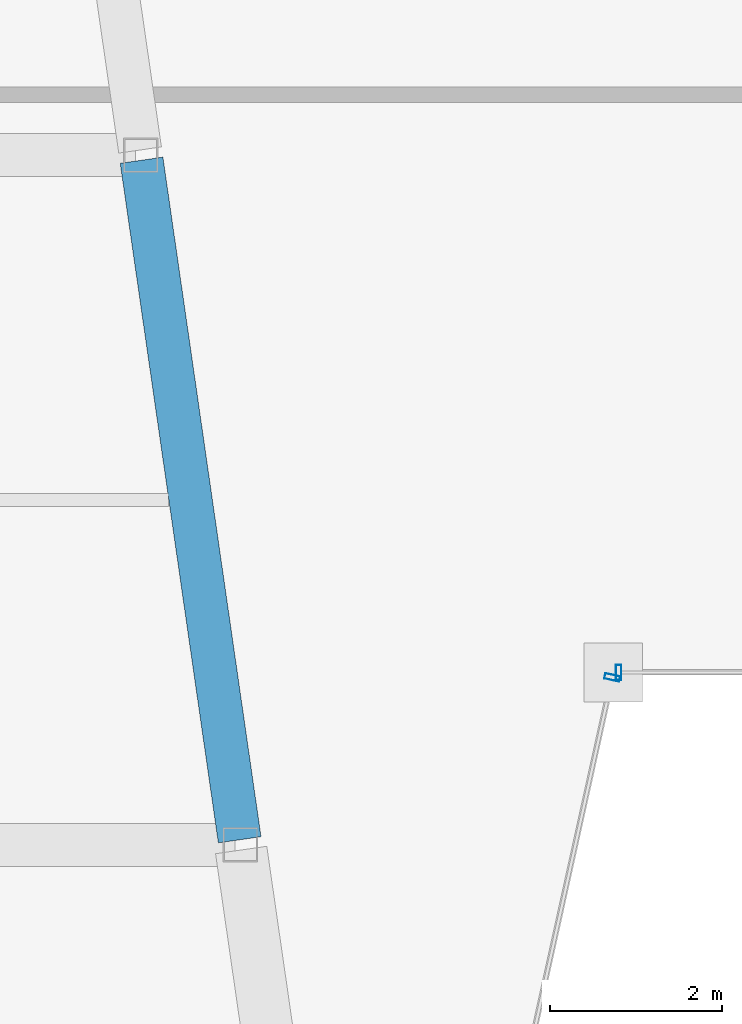
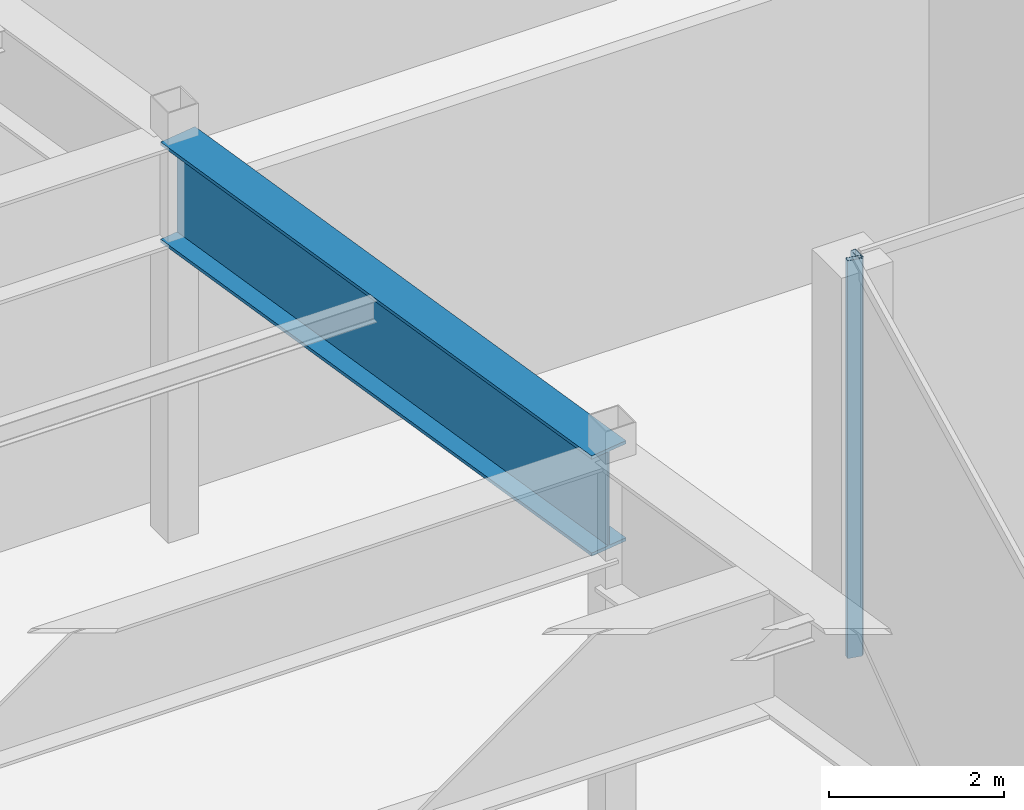
# One storey, part 8 of 34: 2 members, 1 beam, 2 elements without a shape of their own.
"""IFC4 building model written with IfcOpenShell, lengths in metres."""

from ifc_helpers import new_model, si_unit, direction, frame, origin, origin_2d, place, context, subcontext, project, spatial, hollow_rectangle, i_section, extrude, material, material_profile, profile_set, type_object, element, aggregate, save


model = new_model("IFC4")

# Units and contexts
model_context = context("Model", 3, precision=1e-05, world=origin(), true_north=direction((0.0, 1.0)))
body_context = subcontext(model_context, "Body", "Model", "MODEL_VIEW")
ifc_project = project(units=[si_unit("LENGTHUNIT", "METRE"), si_unit("AREAUNIT", "SQUARE_METRE"), si_unit("VOLUMEUNIT", "CUBIC_METRE"), si_unit("PLANEANGLEUNIT", "RADIAN"), si_unit("MASSUNIT", "GRAM", prefix="KILO")], contexts=[model_context])

# Site, building, storey
site_placement = place(None, origin())
site = spatial("IfcSite", under=ifc_project, at=site_placement, CompositionType="ELEMENT")
building_placement = place(site_placement, origin())
building = spatial("IfcBuilding", under=site, at=building_placement, Name="Saevonmaru Cultural Tower", CompositionType="ELEMENT")
storey_placement = place(building_placement, frame((0.0, 0.0, 224.60009765625)))
storey = spatial("IfcBuildingStorey", under=building, at=storey_placement, Name="L52", CompositionType="ELEMENT", Elevation=224.60009765625)

# Beam
ifc_material_1 = material(Name="Steel HSA600 (600 MPa)", Category="steel")
ifc_material_profile_1 = material_profile(ifc_material_1, i_section(OverallWidth=0.5, OverallDepth=1.39990234375, WebThickness=0.02392578125, FlangeThickness=0.044921875, at=origin_2d()), Name="PG-1400x500x24x45")
ifc_profile_set_1 = profile_set([ifc_material_profile_1], Name="Steel HSA600 (600 MPa)")
beam_type = type_object("IfcBeamType", Name="BM-TG-PG1400", PredefinedType="BEAM", material=ifc_profile_set_1)
beam_placement = place(storey_placement, frame((20.763427734375, 24.059326171875, 4.849853515625), z_axis=(-0.142902032203, 0.989736838353, 0.0), x_axis=(-0.989736838353, -0.142902032203, 0.0)))
element("IfcBeam", 1, at=beam_placement, inside=storey, type_object=beam_type, Name="L52 West Atrium Girder 2", PredefinedType="BEAM", context=body_context, shape_type="SweptSolid", body=[
    extrude(i_section(OverallWidth=0.5, OverallDepth=1.39990234375, WebThickness=0.02392578125, FlangeThickness=0.044921875, at=origin_2d()), origin(), (0.0, 0.0, 1.0), 7.963134765625),
])

# Curtain wall, member
ifc_material_2 = material(Name="Satin Bronze Anodised Aluminium", Category="aluminium")
curtain_wall_type = type_object("IfcCurtainWallType", Name="CW-TYP-B", PredefinedType="NOTDEFINED", material=ifc_material_2)
curtain_wall_1_placement = place(storey_placement, origin())
curtain_wall_1 = element("IfcCurtainWall", 2, at=curtain_wall_1_placement, inside=storey, type_object=curtain_wall_type, Name="L52 Wind-Floor Acoustic Louvre Screen E3", PredefinedType="NOTDEFINED")
ifc_material_profile_2 = material_profile(ifc_material_2, hollow_rectangle(XDim=0.06494140625, YDim=0.179931640625, WallThickness=0.00390625, at=origin_2d()), Name="ALU-MULL-180x65x4")
ifc_profile_set_2 = profile_set([ifc_material_profile_2], Name="Satin Bronze Anodised Aluminium")
member_type = type_object("IfcMemberType", Name="ML-CW-180x65", PredefinedType="MULLION", material=ifc_profile_set_2)
member_1_placement = place(storey_placement, frame((25.0849609375, 25.94140625, 0.0), z_axis=(0.0, 0.0, 1.0), x_axis=(0.215413319953, 0.976522965212, 0.0)))
member_1 = element("IfcMember", 3, at=member_1_placement, type_object=member_type, Name="CW-TW-L52-E3 mullion 2", PredefinedType="MULLION", context=body_context, shape_type="SweptSolid", body=[
    extrude(hollow_rectangle(XDim=0.06494140625, YDim=0.179931640625, WallThickness=0.00390625, at=origin_2d()), origin(), (0.0, 0.0, 1.0), 5.5498046875),
])
aggregate(curtain_wall_1, [member_1])

curtain_wall_2_placement = place(storey_placement, origin())
curtain_wall_2 = element("IfcCurtainWall", 4, at=curtain_wall_2_placement, inside=storey, type_object=curtain_wall_type, Name="L52 Wind-Floor Acoustic Louvre Screen E4", PredefinedType="NOTDEFINED")
member_2_placement = place(storey_placement, frame((25.15771484375, 26.0, 0.0), z_axis=(0.0, 0.0, 1.0), x_axis=(1.0, 0.0, 0.0)))
member_2 = element("IfcMember", 5, at=member_2_placement, type_object=member_type, Name="CW-TW-L52-E4 mullion 1", PredefinedType="MULLION", context=body_context, shape_type="SweptSolid", body=[
    extrude(hollow_rectangle(XDim=0.06494140625, YDim=0.179931640625, WallThickness=0.00390625, at=origin_2d()), origin(), (0.0, 0.0, 1.0), 5.5498046875),
])
aggregate(curtain_wall_2, [member_2])

save(model, "model.ifc")
